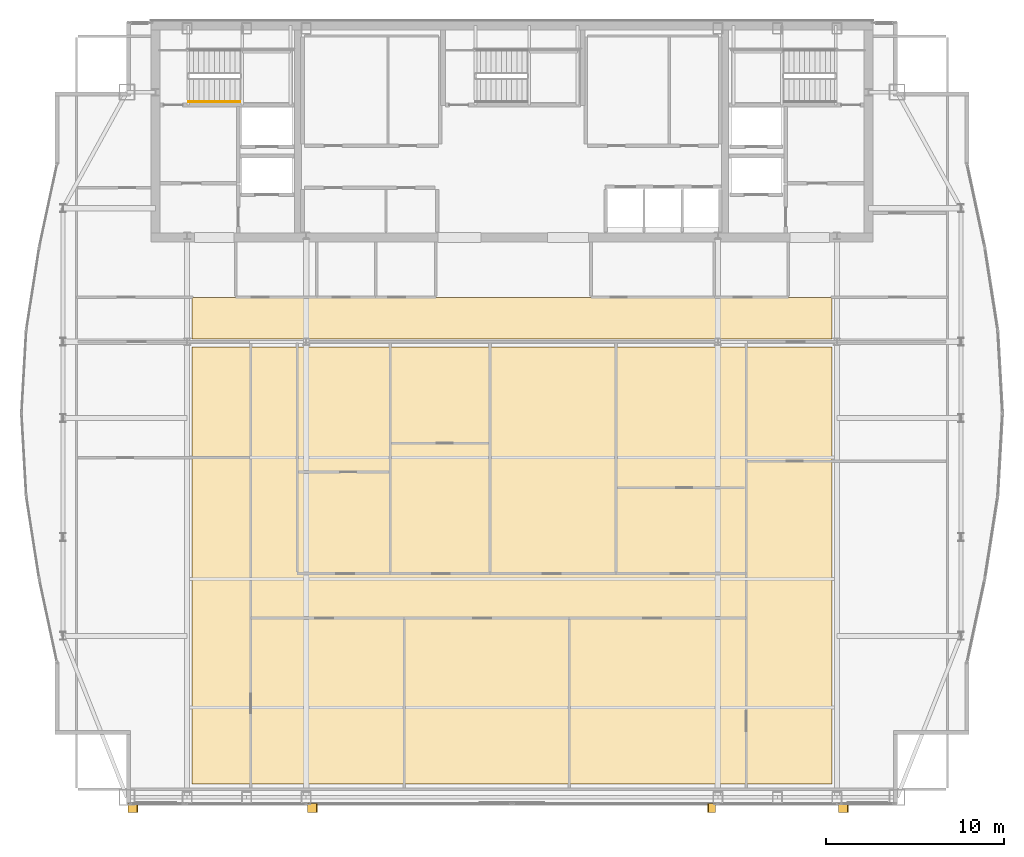
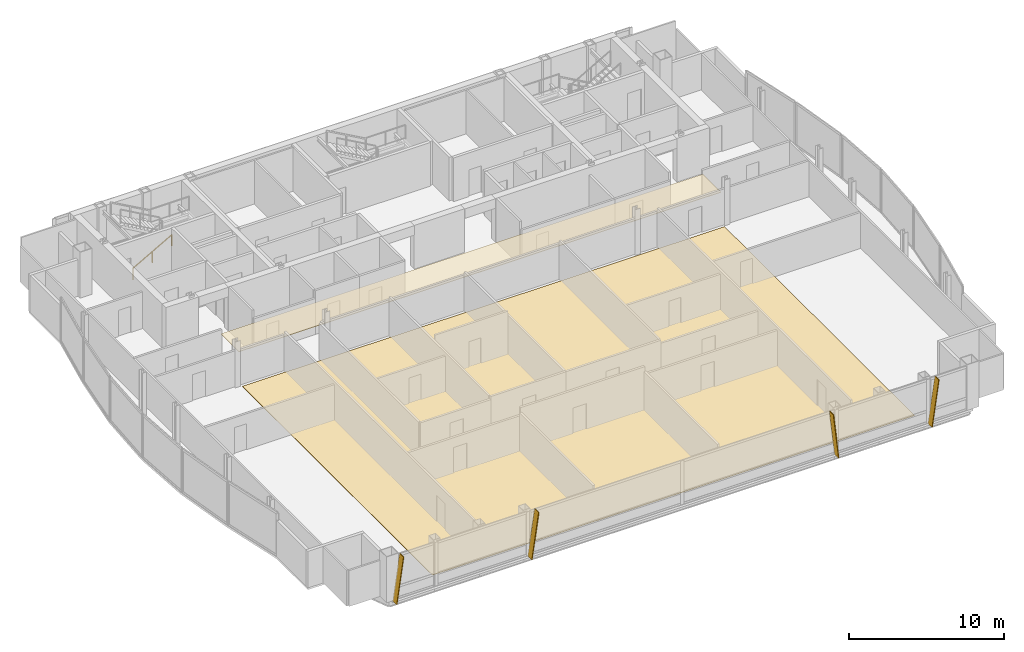
# One storey, part 28 of 29: 4 shading devices, 2 coverings, 1 railing.
"""IFC4 building model written with IfcOpenShell, lengths in metres."""

from ifc_helpers import new_model, si_unit, direction, frame, origin, origin_2d, place, context, subcontext, project, spatial, polyline, rectangle, outline, extrude, material, layer, layer_set, type_object, element, save


model = new_model("IFC4")

# Units and contexts
model_context = context("Model", 3, precision=1e-05, world=origin(), true_north=direction((0.0, 1.0)))
body_context = subcontext(model_context, "Body", "Model", "MODEL_VIEW")
ifc_project = project(units=[si_unit("LENGTHUNIT", "METRE"), si_unit("AREAUNIT", "SQUARE_METRE"), si_unit("VOLUMEUNIT", "CUBIC_METRE"), si_unit("PLANEANGLEUNIT", "RADIAN"), si_unit("MASSUNIT", "GRAM", prefix="KILO")], contexts=[model_context])

# Site, building, storey
site_placement = place(None, origin())
site = spatial("IfcSite", under=ifc_project, at=site_placement, CompositionType="ELEMENT")
building_placement = place(site_placement, origin())
building = spatial("IfcBuilding", under=site, at=building_placement, Name="Khoronbel Lancet Exchange", CompositionType="ELEMENT")
storey_placement = place(building_placement, frame((0.0, 0.0, 329.0)))
storey = spatial("IfcBuildingStorey", under=building, at=storey_placement, Name="L85", CompositionType="ELEMENT", Elevation=329.0)

# Coverings
ifc_material_1 = material(Name="Micro-Perforated Bronze Acoustic Metal Ceiling Tile", Category="aluminium")
ifc_layer_1 = layer(ifc_material_1, 0.0400390625, Name="Micro-Perforated Bronze Acoustic Metal Ceiling Tile")
ifc_layer_set_1 = layer_set([ifc_layer_1], Name="Micro-Perforated Bronze Acoustic Metal Ceiling Tile")
covering_type_1 = type_object("IfcCoveringType", Name="COV-CEIL1", PredefinedType="CEILING", material=ifc_layer_set_1)
covering_1_placement = place(storey_placement, frame((0.0, 0.0, 2.43994140625)))
element("IfcCovering", 1, at=covering_1_placement, inside=storey, type_object=covering_type_1, Name="Level L85 corridor acoustic metal ceiling", PredefinedType="CEILING", context=body_context, shape_type="SweptSolid", body=[
    extrude(outline(polyline([(18.5, 35.85009765625), (54.39990234375, 35.85009765625), (54.39990234375, 38.179931640625), (18.5, 38.179931640625), (18.5, 35.85009765625)])), origin(), (0.0, 0.0, 1.0), 0.0400390625),
])
ifc_material_2 = material(Name="Honed Egyptian Galala Marble & Raised Access Floor Finish", Category="masonry")
ifc_layer_2 = layer(ifc_material_2, 0.030029296875, Name="Honed Egyptian Galala Marble & Raised Access Floor Finish")
ifc_layer_set_2 = layer_set([ifc_layer_2], Name="Honed Egyptian Galala Marble & Raised Access Floor Finish")
covering_type_2 = type_object("IfcCoveringType", Name="COV-FLR1", PredefinedType="FLOORING", material=ifc_layer_set_2)
covering_2_placement = place(storey_placement, origin())
element("IfcCovering", 2, at=covering_2_placement, inside=storey, type_object=covering_type_2, Name="Level L85 anti-static raised access floor finish", PredefinedType="FLOORING", context=body_context, shape_type="SweptSolid", body=[
    extrude(outline(polyline([(18.5, 10.89990234375), (54.39990234375, 10.89990234375), (54.39990234375, 35.39990234375), (18.5, 35.39990234375), (18.5, 10.89990234375)])), origin(), (0.0, 0.0, 1.0), 0.030029296875),
])

# Railing
ifc_material_3 = material(Name="Brushed Stainless Steel 316", Category="steel")
railing_type = type_object("IfcRailingType", Name="RL-STH92", PredefinedType="HANDRAIL", material=ifc_material_3)
railing_placement = place(storey_placement, frame((18.300048828125, 49.169921875, 0.16357421875)))
element("IfcRailing", 3, at=railing_placement, inside=storey, type_object=railing_type, Name="L85 ST1 stair handrail 1", PredefinedType="HANDRAIL", context=body_context, shape_type="SweptSolid", body=[
    extrude(rectangle(XDim=0.048095703125, YDim=0.048095703125, at=origin_2d()), frame((0.0, 0.0, 0.8759765625), z_axis=(0.870897200241, 0.0, 0.491465224214), x_axis=(0.0, 1.0, 0.0)), (0.0, 0.0, 1.0), 3.329833984375),
    extrude(rectangle(XDim=0.0419921875, YDim=0.0419921875, at=origin_2d()), origin(), (0.0, 0.0, 1.0), 0.851806640625),
    extrude(rectangle(XDim=0.0419921875, YDim=0.0419921875, at=origin_2d()), frame((1.449951171875, 0.0, 0.818359375)), (0.0, 0.0, 1.0), 0.851806640625),
    extrude(rectangle(XDim=0.0419921875, YDim=0.0419921875, at=origin_2d()), frame((2.89990234375, 0.0, 1.636474609375)), (0.0, 0.0, 1.0), 0.851806640625),
])

# Shading devices
ifc_material_4 = material(Name="Bronze-Anodised Aluminium 6063-T6", Category="aluminium")
ifc_layer_3 = layer(ifc_material_4, 0.054931640625, Name="Bronze-Anodised Aluminium 6063-T6")
ifc_layer_set_3 = layer_set([ifc_layer_3], Name="Bronze-Anodised Aluminium 6063-T6")
shading_device_type = type_object("IfcShadingDeviceType", Name="SHD-FIN1", PredefinedType="USERDEFINED", material=ifc_layer_set_3)
for number, where, z_axis, x_axis, name in (
    (4, (14.91259765625, 9.81005859375, -0.080078125), (-0.990092925251, 0.0, 0.140413672296), (0.0, -1.0, 0.0), "Slanted bronze solar fin CW-L85-SWV-0"),
    (5, (24.972412109375, 9.81005859375, -0.080078125), (-0.990083483708, 0.0, 0.140480230955), (0.0, -1.0, 0.0), "Slanted bronze solar fin CW-L85-SCV-0"),
):
    element("IfcShadingDevice", number, at=place(storey_placement, frame(where, z_axis=z_axis, x_axis=x_axis)), inside=storey, type_object=shading_device_type, Name=name, ObjectType="FIN", PredefinedType="USERDEFINED", context=body_context, shape_type="SweptSolid", body=[
        extrude(outline(polyline([(0.0, 0.0), (0.52001953125, 0.0), (0.52001953125, 3.595703125), (0.0, 3.595703125), (0.0, 0.0)])), origin(), (0.0, 0.0, -1.0), 0.054931640625),
    ])
shading_device_1_placement = place(storey_placement, frame((47.87255859375, 9.81005859375, -0.080078125), z_axis=(0.993900347655, 0.0, 0.110281906632), x_axis=(0.0, -1.0, 0.0)))
element("IfcShadingDevice", 6, at=shading_device_1_placement, inside=storey, type_object=shading_device_type, Name="Slanted bronze solar fin CW-L85-SCV-2", ObjectType="FIN", PredefinedType="USERDEFINED", context=body_context, shape_type="SweptSolid", body=[
    extrude(outline(polyline([(0.0, 0.0), (0.52001953125, 0.0), (0.52001953125, -3.581787109375), (0.0, -3.581787109375), (0.0, 0.0)])), origin(), (0.0, 0.0, -1.0), 0.054931640625),
])
shading_device_2_placement = place(storey_placement, frame((54.7724609375, 9.81005859375, -0.080078125), z_axis=(-0.990083483708, 0.0, 0.140480230955), x_axis=(0.0, -1.0, 0.0)))
element("IfcShadingDevice", 7, at=shading_device_2_placement, inside=storey, type_object=shading_device_type, Name="Slanted bronze solar fin CW-L85-SEV-0", ObjectType="FIN", PredefinedType="USERDEFINED", context=body_context, shape_type="SweptSolid", body=[
    extrude(outline(polyline([(0.0, 0.0), (0.52001953125, 0.0), (0.52001953125, 3.595703125), (0.0, 3.595703125), (0.0, 0.0)])), origin(), (0.0, 0.0, -1.0), 0.054931640625),
])

save(model, "model.ifc")
